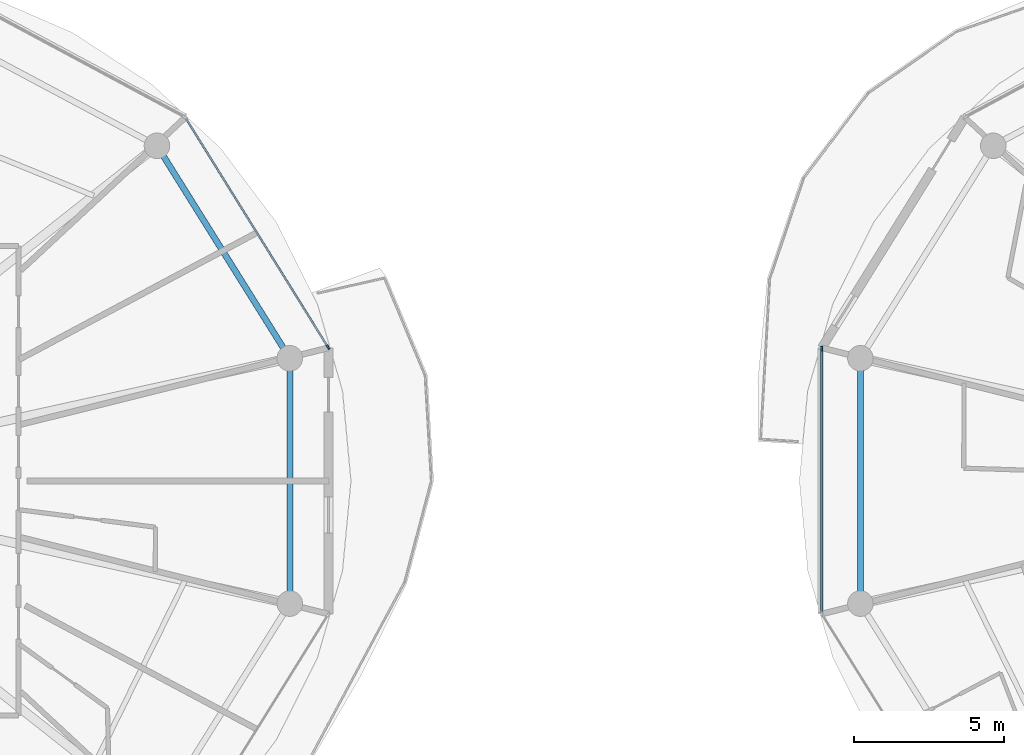
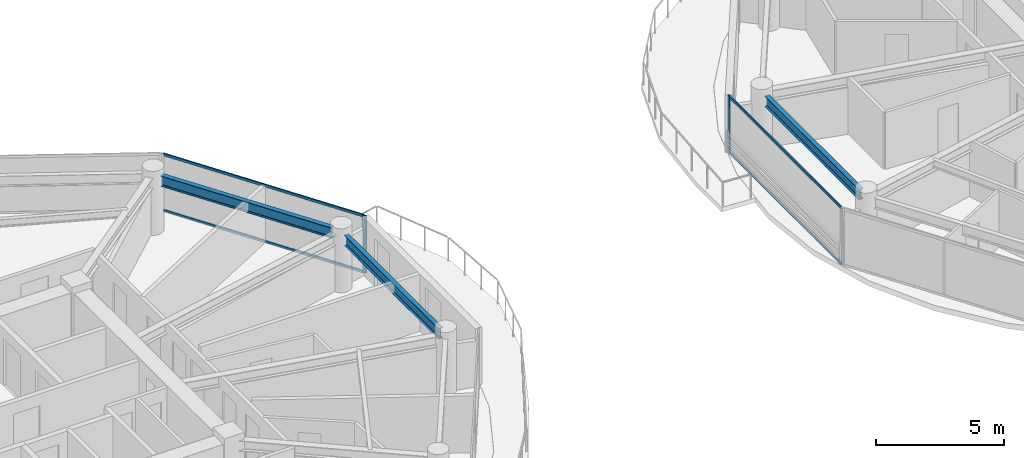
# One storey, part 7 of 22: 6 members, 3 beams, 2 elements without a shape of their own.
"""IFC4 building model written with IfcOpenShell, lengths in metres."""

from ifc_helpers import new_model, si_unit, direction, frame, origin, origin_2d, place, context, subcontext, project, spatial, rectangle, i_section, extrude, source, transform, mapped, material, layer, layer_set, material_profile, profile_set, type_object, type_shapes, element, aggregate, save


model = new_model("IFC4")

# Units and contexts
model_context = context("Model", 3, precision=1e-05, world=origin(), true_north=direction((0.0, 1.0)))
body_context = subcontext(model_context, "Body", "Model", "MODEL_VIEW")
ifc_project = project(units=[si_unit("LENGTHUNIT", "METRE"), si_unit("AREAUNIT", "SQUARE_METRE"), si_unit("VOLUMEUNIT", "CUBIC_METRE"), si_unit("PLANEANGLEUNIT", "RADIAN"), si_unit("MASSUNIT", "GRAM", prefix="KILO")], contexts=[model_context])

# Site, building, storey
site_placement = place(None, origin())
site = spatial("IfcSite", under=ifc_project, at=site_placement, CompositionType="ELEMENT")
building_placement = place(site_placement, origin())
building = spatial("IfcBuilding", under=site, at=building_placement, Name="Norrkilde Senior Care Towers", CompositionType="ELEMENT")
storey_placement = place(building_placement, frame((0.0, 0.0, 126.75)))
storey = spatial("IfcBuildingStorey", under=building, at=storey_placement, Name="L39", CompositionType="ELEMENT", Elevation=126.75)

# Beams
ifc_material_1 = material(Name="Steel S355", Category="steel")
ifc_material_profile_1 = material_profile(ifc_material_1, i_section(OverallWidth=0.199951171875, OverallDepth=0.5, WebThickness=0.01025390625, FlangeThickness=0.01611328125, FilletRadius=0.02099609375, at=origin_2d()), Name="IPE 500")
ifc_profile_set_1 = profile_set([ifc_material_profile_1], Name="Steel S355")
beam_type = type_object("IfcBeamType", Name="Perimeter Ring Spandrel Z2 IPE500", PredefinedType="SPANDREL", material=ifc_profile_set_1)
shared_shape_1 = source(origin(), body_context, "Body", "SweptSolid", [
    extrude(i_section(OverallWidth=0.199951171875, OverallDepth=0.5, WebThickness=0.01025390625, FlangeThickness=0.01611328125, FilletRadius=0.02099609375, at=origin_2d()), origin(), (0.0, 0.0, 1.0), 7.55615234375),
])
beam_placement = place(storey_placement, frame((-9.68505859375, 4.40283203125, 2.47998046875), z_axis=(-0.529981514254, 0.848009194849, 0.0), x_axis=(-0.848009194849, -0.529981514254, 0.0)))
element("IfcBeam", 1, at=beam_placement, inside=storey, type_object=beam_type, Name="L39 Drum W Perimeter Spandrel 01", PredefinedType="SPANDREL", context=body_context, shape_type="MappedRepresentation", body=[
    mapped(shared_shape_1, transform((0.0, 0.0, 0.0), x_axis=(1.0, 0.0, 0.0), y_axis=(0.0, 1.0, 0.0), z_axis=(0.0, 0.0, 1.0), scale=1.0)),
])
shared_shape_2 = source(origin(), body_context, "Body", "SweptSolid", [
    extrude(i_section(OverallWidth=0.199951171875, OverallDepth=0.5, WebThickness=0.01025390625, FlangeThickness=0.01611328125, FilletRadius=0.02099609375, at=origin_2d()), origin(), (0.0, 0.0, 1.0), 7.3828125),
])
type_shapes(beam_type, [shared_shape_1, shared_shape_2])
for number, where, z_axis, x_axis, name in (
    (2, (-9.48095703125, -3.69140625, 2.47998046875), (0.0, 1.0, 0.0), (-1.0, 0.0, 0.0), "L39 Drum W Perimeter Spandrel 12"),
    (3, (9.48095703125, 3.69140625, 2.47998046875), (0.0, -1.0, 0.0), (1.0, 0.0, 0.0), "L39 Drum E Perimeter Spandrel 06"),
):
    element("IfcBeam", number, at=place(storey_placement, frame(where, z_axis=z_axis, x_axis=x_axis)), inside=storey, type_object=beam_type, Name=name, PredefinedType="SPANDREL", context=body_context, shape_type="MappedRepresentation", body=[
        mapped(shared_shape_2, transform((0.0, 0.0, 0.0), x_axis=(1.0, 0.0, 0.0), y_axis=(0.0, 1.0, 0.0), z_axis=(0.0, 0.0, 1.0), scale=1.0)),
    ])

# Curtain wall, member
ifc_material_2 = material(Name="Triple Low-E Insulated Glazing", Category="glass")
ifc_layer = layer(ifc_material_2, 0.195068359375)
ifc_layer_set = layer_set([ifc_layer], Name="Triple Low-E Insulated Glazing")
curtain_wall_type = type_object("IfcCurtainWallType", Name="CW3 Zone 2 Assisted Living Curtain Wall", PredefinedType="NOTDEFINED", material=ifc_layer_set)
curtain_wall_1_placement = place(storey_placement, origin())
curtain_wall_1 = element("IfcCurtainWall", 4, at=curtain_wall_1_placement, inside=storey, type_object=curtain_wall_type, Name="L39 Drum W Curtain Wall 00", PredefinedType="NOTDEFINED")
ifc_material_3 = material(Name="Anodised Aluminium", Category="aluminium")
ifc_material_profile_2 = material_profile(ifc_material_3, rectangle(XDim=0.06494140625, YDim=0.159912109375, at=origin_2d()), Name="ALU MULL 65x160")
ifc_profile_set_2 = profile_set([ifc_material_profile_2], Name="Anodised Aluminium")
member_type_1 = type_object("IfcMemberType", Name="Curtain Wall Mullion Z1-Z2 65x160", PredefinedType="MULLION", material=ifc_profile_set_2)
shared_shape_3 = source(origin(), body_context, "Body", "SweptSolid", [
    extrude(rectangle(XDim=0.06494140625, YDim=0.159912109375, at=origin_2d()), origin(), (0.0, 0.0, 1.0), 2.72998046875),
])
type_shapes(member_type_1, [shared_shape_3])
member_1_placement = place(storey_placement, frame((-8.21337890625, 4.4482421875, 0.0), z_axis=(0.0, 0.0, 1.0), x_axis=(0.849410171862, 0.527733228002, 0.0)))
member_1 = element("IfcMember", 5, at=member_1_placement, type_object=member_type_1, Name="CW-3 mullion 2", PredefinedType="MULLION", context=body_context, shape_type="MappedRepresentation", body=[
    mapped(shared_shape_3, transform((0.0, 0.0, 0.0), x_axis=(1.0, 0.0, 0.0), y_axis=(0.0, 1.0, 0.0), z_axis=(0.0, 0.0, 1.0), scale=1.0)),
])

curtain_wall_2_placement = place(storey_placement, origin())
curtain_wall_2 = element("IfcCurtainWall", 6, at=curtain_wall_2_placement, inside=storey, type_object=curtain_wall_type, Name="L39 Drum E Curtain Wall 05", PredefinedType="NOTDEFINED")
member_2_placement = place(storey_placement, frame((8.1962890625, 4.38818359375, 0.0), z_axis=(0.0, 0.0, 1.0), x_axis=(-1.0, 0.0, 0.0)))
member_2 = element("IfcMember", 7, at=member_2_placement, type_object=member_type_1, Name="CW-3 mullion 2", PredefinedType="MULLION", context=body_context, shape_type="MappedRepresentation", body=[
    mapped(shared_shape_3, transform((0.0, 0.0, 0.0), x_axis=(1.0, 0.0, 0.0), y_axis=(0.0, 1.0, 0.0), z_axis=(0.0, 0.0, 1.0), scale=1.0)),
])

# Member
ifc_material_profile_3 = material_profile(ifc_material_3, rectangle(XDim=0.06005859375, YDim=0.1201171875, at=origin_2d()), Name="ALU TRAN 60x120")
ifc_profile_set_3 = profile_set([ifc_material_profile_3], Name="Anodised Aluminium")
member_type_2 = type_object("IfcMemberType", Name="Curtain Wall Transom Typical 60x120", PredefinedType="USERDEFINED", material=ifc_profile_set_3)
shared_shape_4 = source(origin(), body_context, "Body", "SweptSolid", [
    extrude(rectangle(XDim=0.06005859375, YDim=0.1201171875, at=origin_2d()), origin(), (0.0, 0.0, 1.0), 8.88427734375),
])
member_3_placement = place(storey_placement, frame((-12.919189453125, 12.022216796875, 0.030029296875), z_axis=(0.527749293309, -0.849400190377, 0.0), x_axis=(0.849400190377, 0.527749293309, 0.0)))
member_3 = element("IfcMember", 8, at=member_3_placement, type_object=member_type_2, Name="CW-3 transom 1.1", ObjectType="TRANSOM", PredefinedType="USERDEFINED", context=body_context, shape_type="MappedRepresentation", body=[
    mapped(shared_shape_4, transform((0.0, 0.0, 0.0), x_axis=(1.0, 0.0, 0.0), y_axis=(0.0, 1.0, 0.0), z_axis=(0.0, 0.0, 1.0), scale=1.0)),
])

member_4_placement = place(storey_placement, frame((-12.919189453125, 12.022216796875, 2.699951171875), z_axis=(0.527749293309, -0.849400190377, 0.0), x_axis=(0.849400190377, 0.527749293309, 0.0)))
member_4 = element("IfcMember", 9, at=member_4_placement, type_object=member_type_2, Name="CW-3 transom 1.2", ObjectType="TRANSOM", PredefinedType="USERDEFINED", context=body_context, shape_type="MappedRepresentation", body=[
    mapped(shared_shape_4, transform((0.0, 0.0, 0.0), x_axis=(1.0, 0.0, 0.0), y_axis=(0.0, 1.0, 0.0), z_axis=(0.0, 0.0, 1.0), scale=1.0)),
])

aggregate(curtain_wall_1, [member_1, member_3, member_4])

shared_shape_5 = source(origin(), body_context, "Body", "SweptSolid", [
    extrude(rectangle(XDim=0.06005859375, YDim=0.1201171875, at=origin_2d()), origin(), (0.0, 0.0, 1.0), 8.71142578125),
])
type_shapes(member_type_2, [shared_shape_4, shared_shape_5])
member_5_placement = place(storey_placement, frame((8.1962890625, -4.355712890625, 0.030029296875), z_axis=(0.0, 1.0, 0.0), x_axis=(-1.0, 0.0, 0.0)))
member_5 = element("IfcMember", 10, at=member_5_placement, type_object=member_type_2, Name="CW-3 transom 1.1", ObjectType="TRANSOM", PredefinedType="USERDEFINED", context=body_context, shape_type="MappedRepresentation", body=[
    mapped(shared_shape_5, transform((0.0, 0.0, 0.0), x_axis=(1.0, 0.0, 0.0), y_axis=(0.0, 1.0, 0.0), z_axis=(0.0, 0.0, 1.0), scale=1.0)),
])

member_6_placement = place(storey_placement, frame((8.1962890625, -4.355712890625, 2.699951171875), z_axis=(0.0, 1.0, 0.0), x_axis=(-1.0, 0.0, 0.0)))
member_6 = element("IfcMember", 11, at=member_6_placement, type_object=member_type_2, Name="CW-3 transom 1.2", ObjectType="TRANSOM", PredefinedType="USERDEFINED", context=body_context, shape_type="MappedRepresentation", body=[
    mapped(shared_shape_5, transform((0.0, 0.0, 0.0), x_axis=(1.0, 0.0, 0.0), y_axis=(0.0, 1.0, 0.0), z_axis=(0.0, 0.0, 1.0), scale=1.0)),
])

aggregate(curtain_wall_2, [member_2, member_5, member_6])

save(model, "model.ifc")
